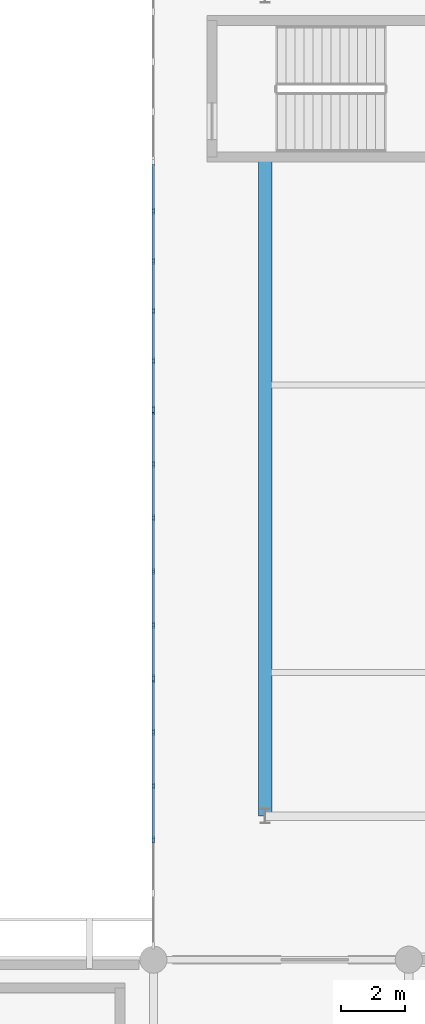
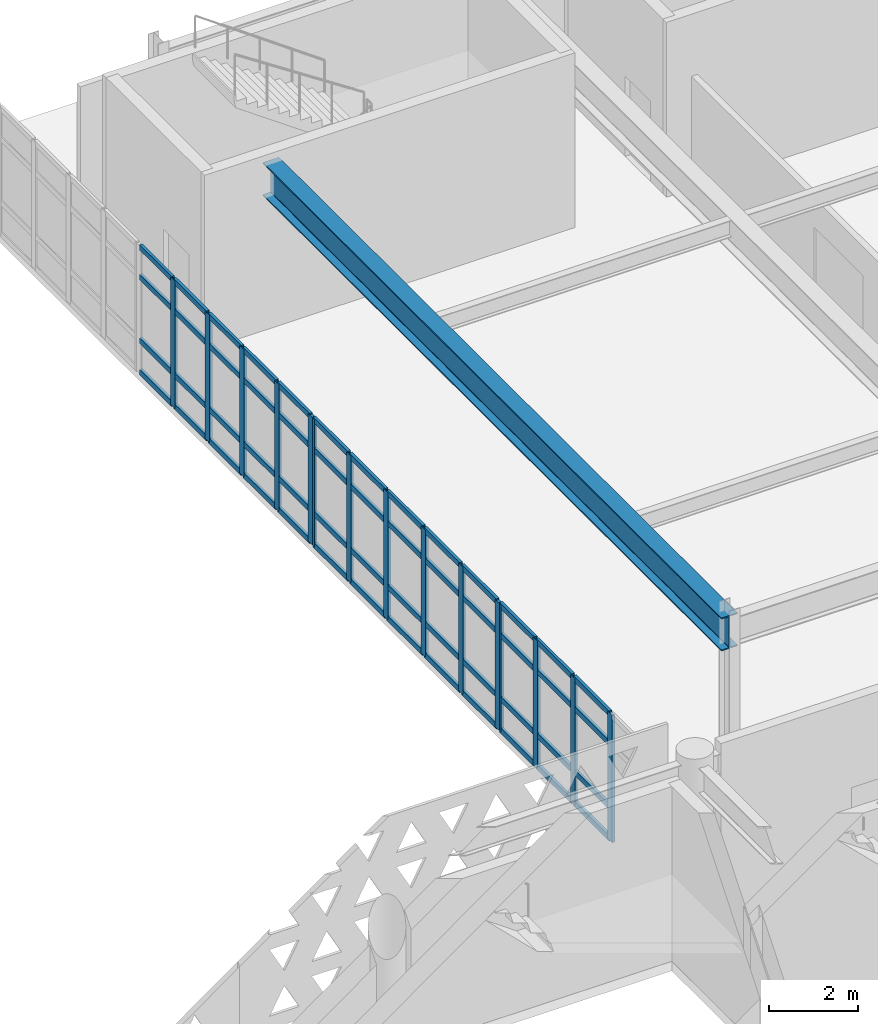
# One storey, part 20 of 54: 67 members, 1 beam, 3 elements without a shape of their own.
"""IFC4 building model written with IfcOpenShell, lengths in metres."""

import ifcopenshell
import ifcopenshell.guid

model = None  # the IFC model being written
_history = None  # IfcOwnerHistory: only IFC2X3 demands one
_inside = {}  # id of a spatial element -> (the spatial element, [elements in it])
_under = {}  # id of a project, library or spatial element -> (it, [spatial elements below it])
_declared = {}  # id of a project -> (the project, [libraries it declares])
_typed = {}  # id of a type object -> (the type object, [elements of that type])
_made_of = {}  # id of a material, layer set ... -> (it, [elements and type objects made of it])


def new_model(schema):
    """Start an empty IFC model of exactly this schema.

    Asked for "IFC4X3", IfcOpenShell would pick the latest addendum, in which some entities
    have other attributes; the version numbers below select the first issue.
    IFC2X3 requires an IfcOwnerHistory on every rooted entity: one is made here for all.
    """
    global model, _history
    if schema == "IFC4X3":
        model = ifcopenshell.file(schema_version=(4, 3, 0, 0))
    else:
        model = ifcopenshell.file(schema=schema)
    _inside.clear()
    _under.clear()
    _declared.clear()
    _typed.clear()
    _made_of.clear()
    _history = None
    if model.schema == "IFC2X3":
        org = make("IfcOrganization", Name="unknown")
        user = make(
            "IfcPersonAndOrganization",
            ThePerson=make("IfcPerson", FamilyName="unknown"),
            TheOrganization=org,
        )
        app = make(
            "IfcApplication",
            ApplicationDeveloper=org,
            Version="unknown",
            ApplicationFullName="unknown",
            ApplicationIdentifier="unknown",
        )
        _history = make(
            "IfcOwnerHistory",
            OwningUser=user,
            OwningApplication=app,
            ChangeAction="ADDED",
            CreationDate=0,
        )
    return model


def make(cls, **values):
    """One entity of the class cls with the attributes given. An attribute that is None is left unset."""
    return model.create_entity(
        cls, **{name: value for name, value in values.items() if value is not None}
    )


def rooted(cls, **values):
    """An entity with a GlobalId (a new one), such as an element, a storey or a relation."""
    return make(cls, GlobalId=ifcopenshell.guid.new(), OwnerHistory=_history, **values)


def si_unit(unit_type, name, prefix=None):
    """IfcSIUnit, for example si_unit("LENGTHUNIT", "METRE", prefix="MILLI")."""
    return make("IfcSIUnit", UnitType=unit_type, Prefix=prefix, Name=name)


def assignment(units):
    """IfcUnitAssignment: the units of a project."""
    return None if units is None else make("IfcUnitAssignment", Units=units)


def point(xyz):
    """IfcCartesianPoint."""
    return None if xyz is None else make("IfcCartesianPoint", Coordinates=xyz)


def direction(xyz):
    """IfcDirection."""
    return None if xyz is None else make("IfcDirection", DirectionRatios=xyz)


def frame(location, z_axis=None, x_axis=None):
    """IfcAxis2Placement3D, a coordinate frame: its origin and axes. An axis left out is left unset."""
    return make(
        "IfcAxis2Placement3D",
        Location=point(location),
        Axis=direction(z_axis),
        RefDirection=direction(x_axis),
    )


def frame_2d(location, x_axis=None):
    """IfcAxis2Placement2D, a coordinate frame in the plane: its origin and x axis."""
    return make(
        "IfcAxis2Placement2D", Location=point(location), RefDirection=direction(x_axis)
    )


def origin():
    """The frame at (0, 0, 0) with its axes left unset."""
    return frame((0.0, 0.0, 0.0))


def origin_2d():
    """The frame at (0, 0) in the plane with its x axis left unset."""
    return frame_2d((0.0, 0.0))


def place(relative_to, where):
    """IfcLocalPlacement: puts the frame where relative to a parent placement (None: the world)."""
    return make(
        "IfcLocalPlacement", PlacementRelTo=relative_to, RelativePlacement=where
    )


def context(
    kind, dimensions, precision=None, world=None, true_north=None, identifier=None
):
    """IfcGeometricRepresentationContext, for example the 3D "Model" context."""
    return make(
        "IfcGeometricRepresentationContext",
        ContextIdentifier=identifier,
        ContextType=kind,
        CoordinateSpaceDimension=dimensions,
        Precision=precision,
        WorldCoordinateSystem=world,
        TrueNorth=true_north,
    )


def subcontext(parent, identifier, kind, view, scale=None):
    """IfcGeometricRepresentationSubContext, for example "Body" below "Model"."""
    return make(
        "IfcGeometricRepresentationSubContext",
        ContextIdentifier=identifier,
        ContextType=kind,
        ParentContext=parent,
        TargetScale=scale,
        TargetView=view,
    )


def project(units=None, contexts=None):
    """IfcProject with its units and contexts."""
    return rooted(
        "IfcProject",
        Name="project",
        RepresentationContexts=contexts,
        UnitsInContext=assignment(units),
    )


def spatial(cls, under=None, at=None, **own):
    """A site, building, storey or space (cls), placed at a placement, below another one or the project."""
    s = rooted(cls, ObjectPlacement=at, **own)
    if under is not None:
        _under.setdefault(under.id(), (under, []))[1].append(s)
    return s


def profile(cls, at=None, kind="AREA", **sizes):
    """A parametric profile (cls). Its sizes go by their IFC names, for example OverallWidth=200.0."""
    return make(cls, ProfileType=kind, Position=at, **sizes)


def rectangle(**sizes):
    """IfcRectangleProfileDef."""
    return profile("IfcRectangleProfileDef", **sizes)


def i_section(**sizes):
    """IfcIShapeProfileDef."""
    return profile("IfcIShapeProfileDef", **sizes)


def extrude(swept, where, along, depth):
    """IfcExtrudedAreaSolid: the profile swept, set in the frame where, extruded along a direction by depth."""
    return make(
        "IfcExtrudedAreaSolid",
        SweptArea=swept,
        Position=where,
        ExtrudedDirection=direction(along),
        Depth=depth,
    )


def shape(context_of_items, identifier, shape_type, items):
    """IfcShapeRepresentation: the items that make up one representation, for example the "Body"."""
    return make(
        "IfcShapeRepresentation",
        ContextOfItems=context_of_items,
        RepresentationIdentifier=identifier,
        RepresentationType=shape_type,
        Items=items,
    )


def material(Name=None, Category=None):
    """IfcMaterial."""
    return make("IfcMaterial", Name=Name, Category=Category)


def layer(
    of_material, thickness, ventilated=None, Name=None, Category=None, Priority=None
):
    """IfcMaterialLayer: one layer of a wall or slab, of a material (None: an air gap)."""
    return make(
        "IfcMaterialLayer",
        Material=of_material,
        LayerThickness=thickness,
        IsVentilated=ventilated,
        Name=Name,
        Category=Category,
        Priority=Priority,
    )


def layer_set(layers, Name=None):
    """IfcMaterialLayerSet."""
    return make("IfcMaterialLayerSet", MaterialLayers=layers, LayerSetName=Name)


def material_profile(
    of_material, cross_section, Name=None, Category=None, Priority=None
):
    """IfcMaterialProfile: a cross section and its material."""
    return make(
        "IfcMaterialProfile",
        Name=Name,
        Material=of_material,
        Profile=cross_section,
        Priority=Priority,
        Category=Category,
    )


def profile_set(profiles, Name=None, composite=None):
    """IfcMaterialProfileSet."""
    return make(
        "IfcMaterialProfileSet",
        Name=Name,
        MaterialProfiles=profiles,
        CompositeProfile=composite,
    )


def made_of(thing, what):
    """Note that an element or type object is made of a material, layer set ...; save() writes the relation."""
    if what is not None:
        _made_of.setdefault(what.id(), (what, []))[1].append(thing)
    return thing


def type_object(cls, material=None, **own):
    """A type object (cls), such as IfcWallType, which elements share."""
    return made_of(rooted(cls, **own), material)


def element(
    cls,
    number,
    at=None,
    inside=None,
    cuts=None,
    type_object=None,
    material=None,
    context=None,
    identifier="Body",
    shape_type=None,
    held_by="IfcProductDefinitionShape",
    body=None,
    shapes=None,
    **own,
):
    """One element of the class cls, such as IfcWall. Its Tag is "e" and its number.

    at: its placement. inside: the storey or other place that contains it. cuts: it is an
    opening in that element (IfcRelVoidsElement). A single representation is given by context,
    identifier, shape_type and body (its items); several are given by shapes. held_by: the class
    of the entity that holds the representations. save() writes the other relations.
    """
    e = rooted(cls, Tag="e%d" % number, ObjectPlacement=at, **own)
    if body is not None:
        shapes = [shape(context, identifier, shape_type, body)]
    if shapes is not None:
        e.Representation = make(held_by, Representations=shapes)
    if inside is not None:
        _inside.setdefault(inside.id(), (inside, []))[1].append(e)
    if cuts is not None:
        rooted(
            "IfcRelVoidsElement", RelatingBuildingElement=cuts, RelatedOpeningElement=e
        )
    if type_object is not None:
        _typed.setdefault(type_object.id(), (type_object, []))[1].append(e)
    return made_of(e, material)


def aggregate(whole, parts):
    """IfcRelAggregates: a whole, such as a stair, and the parts it consists of."""
    return rooted("IfcRelAggregates", RelatingObject=whole, RelatedObjects=parts)


def save(model, path):
    """Write the relations noted so far, then the file.

    IfcRelAggregates (storeys below a building ...), IfcRelContainedInSpatialStructure (elements
    in a storey), IfcRelDefinesByType, IfcRelAssociatesMaterial and IfcRelDeclares: one each for
    every whole, place, type object, material and project.
    """
    for whole, parts in _under.values():
        aggregate(whole, parts)
    for where, things in _inside.values():
        rooted(
            "IfcRelContainedInSpatialStructure",
            RelatedElements=things,
            RelatingStructure=where,
        )
    for kind, things in _typed.values():
        rooted("IfcRelDefinesByType", RelatedObjects=things, RelatingType=kind)
    for what, things in _made_of.values():
        rooted("IfcRelAssociatesMaterial", RelatedObjects=things, RelatingMaterial=what)
    for by, libraries in _declared.values():
        rooted("IfcRelDeclares", RelatingContext=by, RelatedDefinitions=libraries)
    model.write(path)


model = new_model("IFC4")

# Units and contexts
model_context = context("Model", 3, precision=1e-05, world=origin(), true_north=direction((0.0, 1.0)))
body_context = subcontext(model_context, "Body", "Model", "MODEL_VIEW")
ifc_project = project(units=[si_unit("LENGTHUNIT", "METRE"), si_unit("AREAUNIT", "SQUARE_METRE"), si_unit("VOLUMEUNIT", "CUBIC_METRE"), si_unit("PLANEANGLEUNIT", "RADIAN"), si_unit("MASSUNIT", "GRAM", prefix="KILO")], contexts=[model_context])

# Site, building, storey
site_placement = place(None, origin())
site = spatial("IfcSite", under=ifc_project, at=site_placement, CompositionType="ELEMENT")
building_placement = place(site_placement, origin())
building = spatial("IfcBuilding", under=site, at=building_placement, Name="Tlacozan Convention Centre", CompositionType="ELEMENT")
storey_placement = place(building_placement, frame((0.0, 0.0, 11.39990234375)))
storey = spatial("IfcBuildingStorey", under=building, at=storey_placement, Name="L02", CompositionType="ELEMENT", Elevation=11.39990234375)

# Beam
ifc_material_1 = material(Name="Steel ASTM A992 Grade 50", Category="steel")
ifc_material_profile_1 = material_profile(ifc_material_1, i_section(OverallWidth=0.41796875, OverallDepth=0.912109375, WebThickness=0.019287109375, FlangeThickness=0.031982421875, FilletRadius=0.02001953125, at=origin_2d()), Name="IR 914x342.0")
ifc_profile_set_1 = profile_set([ifc_material_profile_1], Name="Steel ASTM A992 Grade 50")
beam_type = type_object("IfcBeamType", Name="Ballroom Span Girder IR 914x342", PredefinedType="BEAM", material=ifc_profile_set_1)
beam_placement = place(storey_placement, frame((91.5, 31.5, 4.044189453125), z_axis=(0.0, 1.0, 0.0), x_axis=(-1.0, 0.0, 0.0)))
element("IfcBeam", 1, at=beam_placement, inside=storey, type_object=beam_type, Name="L02 Ballroom Span Girder IR 914x342 1470", PredefinedType="BEAM", context=body_context, shape_type="SweptSolid", body=[
    extrude(i_section(OverallWidth=0.41796875, OverallDepth=0.912109375, WebThickness=0.019287109375, FlangeThickness=0.031982421875, FilletRadius=0.02001953125, at=origin_2d()), origin(), (0.0, 0.0, 1.0), 20.639892578125),
])

# Curtain wall, members
ifc_material_2 = material(Name="Dark Bronze Anodised Aluminium", Category="aluminium")
ifc_layer = layer(ifc_material_2, 0.199951171875)
ifc_layer_set = layer_set([ifc_layer], Name="Dark Bronze Anodised Aluminium")
curtain_wall_type = type_object("IfcCurtainWallType", Name="Unitised Dining Cloister L02 CW09", PredefinedType="NOTDEFINED", material=ifc_layer_set)
curtain_wall_1_placement = place(storey_placement, origin())
curtain_wall_1 = element("IfcCurtainWall", 2, at=curtain_wall_1_placement, inside=storey, type_object=curtain_wall_type, Name="L02 CW-09 Run 156", PredefinedType="NOTDEFINED")
ifc_material_profile_2 = material_profile(ifc_material_2, rectangle(XDim=0.074951171875, YDim=0.199951171875, at=origin_2d()), Name="ALU 75x200")
ifc_profile_set_2 = profile_set([ifc_material_profile_2], Name="Dark Bronze Anodised Aluminium")
member_type_1 = type_object("IfcMemberType", Name="Curtain Wall Heavy Mullion 75x200", PredefinedType="MULLION", material=ifc_profile_set_2)
member_1_placement = place(storey_placement, frame((88.0, 30.760009765625, 0.0), z_axis=(0.0, 0.0, 1.0), x_axis=(-1.0, 0.0, 0.0)))
member_1 = element("IfcMember", 3, at=member_1_placement, type_object=member_type_1, Name="CW-09 mullion 3", PredefinedType="MULLION", context=body_context, shape_type="SweptSolid", body=[
    extrude(rectangle(XDim=0.074951171875, YDim=0.199951171875, at=origin_2d()), origin(), (0.0, 0.0, 1.0), 3.5),
])
member_2_placement = place(storey_placement, frame((88.0, 32.43994140625, 0.0), z_axis=(0.0, 0.0, 1.0), x_axis=(-1.0, 0.0, 0.0)))
member_2 = element("IfcMember", 4, at=member_2_placement, type_object=member_type_1, Name="CW-09 mullion 4", PredefinedType="MULLION", context=body_context, shape_type="SweptSolid", body=[
    extrude(rectangle(XDim=0.074951171875, YDim=0.199951171875, at=origin_2d()), origin(), (0.0, 0.0, 1.0), 3.5),
])
member_3_placement = place(storey_placement, frame((88.0, 34.1201171875, 0.0), z_axis=(0.0, 0.0, 1.0), x_axis=(-1.0, 0.0, 0.0)))
member_3 = element("IfcMember", 5, at=member_3_placement, type_object=member_type_1, Name="CW-09 mullion 5", PredefinedType="MULLION", context=body_context, shape_type="SweptSolid", body=[
    extrude(rectangle(XDim=0.074951171875, YDim=0.199951171875, at=origin_2d()), origin(), (0.0, 0.0, 1.0), 3.5),
])
member_4_placement = place(storey_placement, frame((88.0, 35.762451171875, 0.0), z_axis=(0.0, 0.0, 1.0), x_axis=(-1.0, 0.0, 0.0)))
member_4 = element("IfcMember", 6, at=member_4_placement, type_object=member_type_1, Name="CW-09 mullion 6", PredefinedType="MULLION", context=body_context, shape_type="SweptSolid", body=[
    extrude(rectangle(XDim=0.074951171875, YDim=0.199951171875, at=origin_2d()), origin(), (0.0, 0.0, 1.0), 3.5),
])

curtain_wall_2_placement = place(storey_placement, origin())
curtain_wall_2 = element("IfcCurtainWall", 7, at=curtain_wall_2_placement, inside=storey, type_object=curtain_wall_type, Name="L02 CW-09 Run 158", PredefinedType="NOTDEFINED")
member_5_placement = place(storey_placement, frame((88.0, 35.83740234375, 0.0), z_axis=(0.0, 0.0, 1.0), x_axis=(-1.0, 0.0, 0.0)))
member_5 = element("IfcMember", 8, at=member_5_placement, type_object=member_type_1, Name="CW-09 mullion 1", PredefinedType="MULLION", context=body_context, shape_type="SweptSolid", body=[
    extrude(rectangle(XDim=0.074951171875, YDim=0.199951171875, at=origin_2d()), origin(), (0.0, 0.0, 1.0), 3.5),
])
member_6_placement = place(storey_placement, frame((88.0, 37.47998046875, 0.0), z_axis=(0.0, 0.0, 1.0), x_axis=(-1.0, 0.0, 0.0)))
member_6 = element("IfcMember", 9, at=member_6_placement, type_object=member_type_1, Name="CW-09 mullion 2", PredefinedType="MULLION", context=body_context, shape_type="SweptSolid", body=[
    extrude(rectangle(XDim=0.074951171875, YDim=0.199951171875, at=origin_2d()), origin(), (0.0, 0.0, 1.0), 3.5),
])
member_7_placement = place(storey_placement, frame((88.0, 39.159912109375, 0.0), z_axis=(0.0, 0.0, 1.0), x_axis=(-1.0, 0.0, 0.0)))
member_7 = element("IfcMember", 10, at=member_7_placement, type_object=member_type_1, Name="CW-09 mullion 3", PredefinedType="MULLION", context=body_context, shape_type="SweptSolid", body=[
    extrude(rectangle(XDim=0.074951171875, YDim=0.199951171875, at=origin_2d()), origin(), (0.0, 0.0, 1.0), 3.5),
])
member_8_placement = place(storey_placement, frame((88.0, 40.840087890625, 0.0), z_axis=(0.0, 0.0, 1.0), x_axis=(-1.0, 0.0, 0.0)))
member_8 = element("IfcMember", 11, at=member_8_placement, type_object=member_type_1, Name="CW-09 mullion 4", PredefinedType="MULLION", context=body_context, shape_type="SweptSolid", body=[
    extrude(rectangle(XDim=0.074951171875, YDim=0.199951171875, at=origin_2d()), origin(), (0.0, 0.0, 1.0), 3.5),
])
member_9_placement = place(storey_placement, frame((88.0, 42.52001953125, 0.0), z_axis=(0.0, 0.0, 1.0), x_axis=(-1.0, 0.0, 0.0)))
member_9 = element("IfcMember", 12, at=member_9_placement, type_object=member_type_1, Name="CW-09 mullion 5", PredefinedType="MULLION", context=body_context, shape_type="SweptSolid", body=[
    extrude(rectangle(XDim=0.074951171875, YDim=0.199951171875, at=origin_2d()), origin(), (0.0, 0.0, 1.0), 3.5),
])
member_10_placement = place(storey_placement, frame((88.0, 44.16259765625, 0.0), z_axis=(0.0, 0.0, 1.0), x_axis=(-1.0, 0.0, 0.0)))
member_10 = element("IfcMember", 13, at=member_10_placement, type_object=member_type_1, Name="CW-09 mullion 6", PredefinedType="MULLION", context=body_context, shape_type="SweptSolid", body=[
    extrude(rectangle(XDim=0.074951171875, YDim=0.199951171875, at=origin_2d()), origin(), (0.0, 0.0, 1.0), 3.5),
])

curtain_wall_3_placement = place(storey_placement, origin())
curtain_wall_3 = element("IfcCurtainWall", 14, at=curtain_wall_3_placement, inside=storey, type_object=curtain_wall_type, Name="L02 CW-09 Run 161", PredefinedType="NOTDEFINED")
member_11_placement = place(storey_placement, frame((88.0, 44.237548828125, 0.0), z_axis=(0.0, 0.0, 1.0), x_axis=(-1.0, 0.0, 0.0)))
member_11 = element("IfcMember", 15, at=member_11_placement, type_object=member_type_1, Name="CW-09 mullion 1", PredefinedType="MULLION", context=body_context, shape_type="SweptSolid", body=[
    extrude(rectangle(XDim=0.074951171875, YDim=0.199951171875, at=origin_2d()), origin(), (0.0, 0.0, 1.0), 3.5),
])
member_12_placement = place(storey_placement, frame((88.0, 45.760009765625, 0.0), z_axis=(0.0, 0.0, 1.0), x_axis=(-1.0, 0.0, 0.0)))
member_12 = element("IfcMember", 16, at=member_12_placement, type_object=member_type_1, Name="CW-09 mullion 2", PredefinedType="MULLION", context=body_context, shape_type="SweptSolid", body=[
    extrude(rectangle(XDim=0.074951171875, YDim=0.199951171875, at=origin_2d()), origin(), (0.0, 0.0, 1.0), 3.5),
])
member_13_placement = place(storey_placement, frame((88.0, 47.320068359375, 0.0), z_axis=(0.0, 0.0, 1.0), x_axis=(-1.0, 0.0, 0.0)))
member_13 = element("IfcMember", 17, at=member_13_placement, type_object=member_type_1, Name="CW-09 mullion 3", PredefinedType="MULLION", context=body_context, shape_type="SweptSolid", body=[
    extrude(rectangle(XDim=0.074951171875, YDim=0.199951171875, at=origin_2d()), origin(), (0.0, 0.0, 1.0), 3.5),
])
member_14_placement = place(storey_placement, frame((88.0, 48.8798828125, 0.0), z_axis=(0.0, 0.0, 1.0), x_axis=(-1.0, 0.0, 0.0)))
member_14 = element("IfcMember", 18, at=member_14_placement, type_object=member_type_1, Name="CW-09 mullion 4", PredefinedType="MULLION", context=body_context, shape_type="SweptSolid", body=[
    extrude(rectangle(XDim=0.074951171875, YDim=0.199951171875, at=origin_2d()), origin(), (0.0, 0.0, 1.0), 3.5),
])
member_15_placement = place(storey_placement, frame((88.0, 50.43994140625, 0.0), z_axis=(0.0, 0.0, 1.0), x_axis=(-1.0, 0.0, 0.0)))
member_15 = element("IfcMember", 19, at=member_15_placement, type_object=member_type_1, Name="CW-09 mullion 5", PredefinedType="MULLION", context=body_context, shape_type="SweptSolid", body=[
    extrude(rectangle(XDim=0.074951171875, YDim=0.199951171875, at=origin_2d()), origin(), (0.0, 0.0, 1.0), 3.5),
])

# Member
ifc_material_profile_3 = material_profile(ifc_material_2, rectangle(XDim=0.074951171875, YDim=0.14990234375, at=origin_2d()), Name="ALU 75x150")
ifc_profile_set_3 = profile_set([ifc_material_profile_3], Name="Dark Bronze Anodised Aluminium")
member_type_2 = type_object("IfcMemberType", Name="Curtain Wall Heavy Transom 75x150", PredefinedType="USERDEFINED", material=ifc_profile_set_3)
member_16_placement = place(storey_placement, frame((88.0, 30.797607421875, 0.03759765625), z_axis=(0.0, 1.0, 0.0), x_axis=(-1.0, 0.0, 0.0)))
member_16 = element("IfcMember", 20, at=member_16_placement, type_object=member_type_2, Name="CW-09 transom 3.1", ObjectType="TRANSOM", PredefinedType="USERDEFINED", context=body_context, shape_type="SweptSolid", body=[
    extrude(rectangle(XDim=0.074951171875, YDim=0.14990234375, at=origin_2d()), origin(), (0.0, 0.0, 1.0), 1.60498046875),
])

member_17_placement = place(storey_placement, frame((88.0, 30.797607421875, 0.900146484375), z_axis=(0.0, 1.0, 0.0), x_axis=(-1.0, 0.0, 0.0)))
member_17 = element("IfcMember", 21, at=member_17_placement, type_object=member_type_2, Name="CW-09 transom 3.2", ObjectType="TRANSOM", PredefinedType="USERDEFINED", context=body_context, shape_type="SweptSolid", body=[
    extrude(rectangle(XDim=0.074951171875, YDim=0.14990234375, at=origin_2d()), origin(), (0.0, 0.0, 1.0), 1.60498046875),
])

member_18_placement = place(storey_placement, frame((88.0, 30.797607421875, 2.650146484375), z_axis=(0.0, 1.0, 0.0), x_axis=(-1.0, 0.0, 0.0)))
member_18 = element("IfcMember", 22, at=member_18_placement, type_object=member_type_2, Name="CW-09 transom 3.3", ObjectType="TRANSOM", PredefinedType="USERDEFINED", context=body_context, shape_type="SweptSolid", body=[
    extrude(rectangle(XDim=0.074951171875, YDim=0.14990234375, at=origin_2d()), origin(), (0.0, 0.0, 1.0), 1.60498046875),
])

member_19_placement = place(storey_placement, frame((88.0, 30.797607421875, 3.462646484375), z_axis=(0.0, 1.0, 0.0), x_axis=(-1.0, 0.0, 0.0)))
member_19 = element("IfcMember", 23, at=member_19_placement, type_object=member_type_2, Name="CW-09 transom 3.4", ObjectType="TRANSOM", PredefinedType="USERDEFINED", context=body_context, shape_type="SweptSolid", body=[
    extrude(rectangle(XDim=0.074951171875, YDim=0.14990234375, at=origin_2d()), origin(), (0.0, 0.0, 1.0), 1.60498046875),
])

member_20_placement = place(storey_placement, frame((88.0, 32.4775390625, 0.03759765625), z_axis=(0.0, 1.0, 0.0), x_axis=(-1.0, 0.0, 0.0)))
member_20 = element("IfcMember", 24, at=member_20_placement, type_object=member_type_2, Name="CW-09 transom 4.1", ObjectType="TRANSOM", PredefinedType="USERDEFINED", context=body_context, shape_type="SweptSolid", body=[
    extrude(rectangle(XDim=0.074951171875, YDim=0.14990234375, at=origin_2d()), origin(), (0.0, 0.0, 1.0), 1.60498046875),
])

member_21_placement = place(storey_placement, frame((88.0, 32.4775390625, 0.900146484375), z_axis=(0.0, 1.0, 0.0), x_axis=(-1.0, 0.0, 0.0)))
member_21 = element("IfcMember", 25, at=member_21_placement, type_object=member_type_2, Name="CW-09 transom 4.2", ObjectType="TRANSOM", PredefinedType="USERDEFINED", context=body_context, shape_type="SweptSolid", body=[
    extrude(rectangle(XDim=0.074951171875, YDim=0.14990234375, at=origin_2d()), origin(), (0.0, 0.0, 1.0), 1.60498046875),
])

member_22_placement = place(storey_placement, frame((88.0, 32.4775390625, 2.650146484375), z_axis=(0.0, 1.0, 0.0), x_axis=(-1.0, 0.0, 0.0)))
member_22 = element("IfcMember", 26, at=member_22_placement, type_object=member_type_2, Name="CW-09 transom 4.3", ObjectType="TRANSOM", PredefinedType="USERDEFINED", context=body_context, shape_type="SweptSolid", body=[
    extrude(rectangle(XDim=0.074951171875, YDim=0.14990234375, at=origin_2d()), origin(), (0.0, 0.0, 1.0), 1.60498046875),
])

member_23_placement = place(storey_placement, frame((88.0, 32.4775390625, 3.462646484375), z_axis=(0.0, 1.0, 0.0), x_axis=(-1.0, 0.0, 0.0)))
member_23 = element("IfcMember", 27, at=member_23_placement, type_object=member_type_2, Name="CW-09 transom 4.4", ObjectType="TRANSOM", PredefinedType="USERDEFINED", context=body_context, shape_type="SweptSolid", body=[
    extrude(rectangle(XDim=0.074951171875, YDim=0.14990234375, at=origin_2d()), origin(), (0.0, 0.0, 1.0), 1.60498046875),
])

member_24_placement = place(storey_placement, frame((88.0, 34.157470703125, 0.03759765625), z_axis=(0.0, 1.0, 0.0), x_axis=(-1.0, 0.0, 0.0)))
member_24 = element("IfcMember", 28, at=member_24_placement, type_object=member_type_2, Name="CW-09 transom 5.1", ObjectType="TRANSOM", PredefinedType="USERDEFINED", context=body_context, shape_type="SweptSolid", body=[
    extrude(rectangle(XDim=0.074951171875, YDim=0.14990234375, at=origin_2d()), origin(), (0.0, 0.0, 1.0), 1.567626953125),
])

member_25_placement = place(storey_placement, frame((88.0, 34.157470703125, 0.900146484375), z_axis=(0.0, 1.0, 0.0), x_axis=(-1.0, 0.0, 0.0)))
member_25 = element("IfcMember", 29, at=member_25_placement, type_object=member_type_2, Name="CW-09 transom 5.2", ObjectType="TRANSOM", PredefinedType="USERDEFINED", context=body_context, shape_type="SweptSolid", body=[
    extrude(rectangle(XDim=0.074951171875, YDim=0.14990234375, at=origin_2d()), origin(), (0.0, 0.0, 1.0), 1.567626953125),
])

member_26_placement = place(storey_placement, frame((88.0, 34.157470703125, 2.650146484375), z_axis=(0.0, 1.0, 0.0), x_axis=(-1.0, 0.0, 0.0)))
member_26 = element("IfcMember", 30, at=member_26_placement, type_object=member_type_2, Name="CW-09 transom 5.3", ObjectType="TRANSOM", PredefinedType="USERDEFINED", context=body_context, shape_type="SweptSolid", body=[
    extrude(rectangle(XDim=0.074951171875, YDim=0.14990234375, at=origin_2d()), origin(), (0.0, 0.0, 1.0), 1.567626953125),
])

member_27_placement = place(storey_placement, frame((88.0, 34.157470703125, 3.462646484375), z_axis=(0.0, 1.0, 0.0), x_axis=(-1.0, 0.0, 0.0)))
member_27 = element("IfcMember", 31, at=member_27_placement, type_object=member_type_2, Name="CW-09 transom 5.4", ObjectType="TRANSOM", PredefinedType="USERDEFINED", context=body_context, shape_type="SweptSolid", body=[
    extrude(rectangle(XDim=0.074951171875, YDim=0.14990234375, at=origin_2d()), origin(), (0.0, 0.0, 1.0), 1.567626953125),
])

aggregate(curtain_wall_1, [member_1, member_2, member_3, member_4, member_16, member_17, member_18, member_19, member_20, member_21, member_22, member_23, member_24, member_25, member_26, member_27])

member_28_placement = place(storey_placement, frame((88.0, 35.875, 0.03759765625), z_axis=(0.0, 1.0, 0.0), x_axis=(-1.0, 0.0, 0.0)))
member_28 = element("IfcMember", 32, at=member_28_placement, type_object=member_type_2, Name="CW-09 transom 1.1", ObjectType="TRANSOM", PredefinedType="USERDEFINED", context=body_context, shape_type="SweptSolid", body=[
    extrude(rectangle(XDim=0.074951171875, YDim=0.14990234375, at=origin_2d()), origin(), (0.0, 0.0, 1.0), 1.5673828125),
])

member_29_placement = place(storey_placement, frame((88.0, 35.875, 0.900146484375), z_axis=(0.0, 1.0, 0.0), x_axis=(-1.0, 0.0, 0.0)))
member_29 = element("IfcMember", 33, at=member_29_placement, type_object=member_type_2, Name="CW-09 transom 1.2", ObjectType="TRANSOM", PredefinedType="USERDEFINED", context=body_context, shape_type="SweptSolid", body=[
    extrude(rectangle(XDim=0.074951171875, YDim=0.14990234375, at=origin_2d()), origin(), (0.0, 0.0, 1.0), 1.5673828125),
])

member_30_placement = place(storey_placement, frame((88.0, 35.875, 2.650146484375), z_axis=(0.0, 1.0, 0.0), x_axis=(-1.0, 0.0, 0.0)))
member_30 = element("IfcMember", 34, at=member_30_placement, type_object=member_type_2, Name="CW-09 transom 1.3", ObjectType="TRANSOM", PredefinedType="USERDEFINED", context=body_context, shape_type="SweptSolid", body=[
    extrude(rectangle(XDim=0.074951171875, YDim=0.14990234375, at=origin_2d()), origin(), (0.0, 0.0, 1.0), 1.5673828125),
])

member_31_placement = place(storey_placement, frame((88.0, 35.875, 3.462646484375), z_axis=(0.0, 1.0, 0.0), x_axis=(-1.0, 0.0, 0.0)))
member_31 = element("IfcMember", 35, at=member_31_placement, type_object=member_type_2, Name="CW-09 transom 1.4", ObjectType="TRANSOM", PredefinedType="USERDEFINED", context=body_context, shape_type="SweptSolid", body=[
    extrude(rectangle(XDim=0.074951171875, YDim=0.14990234375, at=origin_2d()), origin(), (0.0, 0.0, 1.0), 1.5673828125),
])

member_32_placement = place(storey_placement, frame((88.0, 37.517578125, 0.03759765625), z_axis=(0.0, 1.0, 0.0), x_axis=(-1.0, 0.0, 0.0)))
member_32 = element("IfcMember", 36, at=member_32_placement, type_object=member_type_2, Name="CW-09 transom 2.1", ObjectType="TRANSOM", PredefinedType="USERDEFINED", context=body_context, shape_type="SweptSolid", body=[
    extrude(rectangle(XDim=0.074951171875, YDim=0.14990234375, at=origin_2d()), origin(), (0.0, 0.0, 1.0), 1.60498046875),
])

member_33_placement = place(storey_placement, frame((88.0, 37.517578125, 0.900146484375), z_axis=(0.0, 1.0, 0.0), x_axis=(-1.0, 0.0, 0.0)))
member_33 = element("IfcMember", 37, at=member_33_placement, type_object=member_type_2, Name="CW-09 transom 2.2", ObjectType="TRANSOM", PredefinedType="USERDEFINED", context=body_context, shape_type="SweptSolid", body=[
    extrude(rectangle(XDim=0.074951171875, YDim=0.14990234375, at=origin_2d()), origin(), (0.0, 0.0, 1.0), 1.60498046875),
])

member_34_placement = place(storey_placement, frame((88.0, 37.517578125, 2.650146484375), z_axis=(0.0, 1.0, 0.0), x_axis=(-1.0, 0.0, 0.0)))
member_34 = element("IfcMember", 38, at=member_34_placement, type_object=member_type_2, Name="CW-09 transom 2.3", ObjectType="TRANSOM", PredefinedType="USERDEFINED", context=body_context, shape_type="SweptSolid", body=[
    extrude(rectangle(XDim=0.074951171875, YDim=0.14990234375, at=origin_2d()), origin(), (0.0, 0.0, 1.0), 1.60498046875),
])

member_35_placement = place(storey_placement, frame((88.0, 37.517578125, 3.462646484375), z_axis=(0.0, 1.0, 0.0), x_axis=(-1.0, 0.0, 0.0)))
member_35 = element("IfcMember", 39, at=member_35_placement, type_object=member_type_2, Name="CW-09 transom 2.4", ObjectType="TRANSOM", PredefinedType="USERDEFINED", context=body_context, shape_type="SweptSolid", body=[
    extrude(rectangle(XDim=0.074951171875, YDim=0.14990234375, at=origin_2d()), origin(), (0.0, 0.0, 1.0), 1.60498046875),
])

member_36_placement = place(storey_placement, frame((88.0, 39.197509765625, 0.03759765625), z_axis=(0.0, 1.0, 0.0), x_axis=(-1.0, 0.0, 0.0)))
member_36 = element("IfcMember", 40, at=member_36_placement, type_object=member_type_2, Name="CW-09 transom 3.1", ObjectType="TRANSOM", PredefinedType="USERDEFINED", context=body_context, shape_type="SweptSolid", body=[
    extrude(rectangle(XDim=0.074951171875, YDim=0.14990234375, at=origin_2d()), origin(), (0.0, 0.0, 1.0), 1.60498046875),
])

member_37_placement = place(storey_placement, frame((88.0, 39.197509765625, 0.900146484375), z_axis=(0.0, 1.0, 0.0), x_axis=(-1.0, 0.0, 0.0)))
member_37 = element("IfcMember", 41, at=member_37_placement, type_object=member_type_2, Name="CW-09 transom 3.2", ObjectType="TRANSOM", PredefinedType="USERDEFINED", context=body_context, shape_type="SweptSolid", body=[
    extrude(rectangle(XDim=0.074951171875, YDim=0.14990234375, at=origin_2d()), origin(), (0.0, 0.0, 1.0), 1.60498046875),
])

member_38_placement = place(storey_placement, frame((88.0, 39.197509765625, 2.650146484375), z_axis=(0.0, 1.0, 0.0), x_axis=(-1.0, 0.0, 0.0)))
member_38 = element("IfcMember", 42, at=member_38_placement, type_object=member_type_2, Name="CW-09 transom 3.3", ObjectType="TRANSOM", PredefinedType="USERDEFINED", context=body_context, shape_type="SweptSolid", body=[
    extrude(rectangle(XDim=0.074951171875, YDim=0.14990234375, at=origin_2d()), origin(), (0.0, 0.0, 1.0), 1.60498046875),
])

member_39_placement = place(storey_placement, frame((88.0, 39.197509765625, 3.462646484375), z_axis=(0.0, 1.0, 0.0), x_axis=(-1.0, 0.0, 0.0)))
member_39 = element("IfcMember", 43, at=member_39_placement, type_object=member_type_2, Name="CW-09 transom 3.4", ObjectType="TRANSOM", PredefinedType="USERDEFINED", context=body_context, shape_type="SweptSolid", body=[
    extrude(rectangle(XDim=0.074951171875, YDim=0.14990234375, at=origin_2d()), origin(), (0.0, 0.0, 1.0), 1.60498046875),
])

member_40_placement = place(storey_placement, frame((88.0, 40.87744140625, 0.03759765625), z_axis=(0.0, 1.0, 0.0), x_axis=(-1.0, 0.0, 0.0)))
member_40 = element("IfcMember", 44, at=member_40_placement, type_object=member_type_2, Name="CW-09 transom 4.1", ObjectType="TRANSOM", PredefinedType="USERDEFINED", context=body_context, shape_type="SweptSolid", body=[
    extrude(rectangle(XDim=0.074951171875, YDim=0.14990234375, at=origin_2d()), origin(), (0.0, 0.0, 1.0), 1.60498046875),
])

member_41_placement = place(storey_placement, frame((88.0, 40.87744140625, 0.900146484375), z_axis=(0.0, 1.0, 0.0), x_axis=(-1.0, 0.0, 0.0)))
member_41 = element("IfcMember", 45, at=member_41_placement, type_object=member_type_2, Name="CW-09 transom 4.2", ObjectType="TRANSOM", PredefinedType="USERDEFINED", context=body_context, shape_type="SweptSolid", body=[
    extrude(rectangle(XDim=0.074951171875, YDim=0.14990234375, at=origin_2d()), origin(), (0.0, 0.0, 1.0), 1.60498046875),
])

member_42_placement = place(storey_placement, frame((88.0, 40.87744140625, 2.650146484375), z_axis=(0.0, 1.0, 0.0), x_axis=(-1.0, 0.0, 0.0)))
member_42 = element("IfcMember", 46, at=member_42_placement, type_object=member_type_2, Name="CW-09 transom 4.3", ObjectType="TRANSOM", PredefinedType="USERDEFINED", context=body_context, shape_type="SweptSolid", body=[
    extrude(rectangle(XDim=0.074951171875, YDim=0.14990234375, at=origin_2d()), origin(), (0.0, 0.0, 1.0), 1.60498046875),
])

member_43_placement = place(storey_placement, frame((88.0, 40.87744140625, 3.462646484375), z_axis=(0.0, 1.0, 0.0), x_axis=(-1.0, 0.0, 0.0)))
member_43 = element("IfcMember", 47, at=member_43_placement, type_object=member_type_2, Name="CW-09 transom 4.4", ObjectType="TRANSOM", PredefinedType="USERDEFINED", context=body_context, shape_type="SweptSolid", body=[
    extrude(rectangle(XDim=0.074951171875, YDim=0.14990234375, at=origin_2d()), origin(), (0.0, 0.0, 1.0), 1.60498046875),
])

member_44_placement = place(storey_placement, frame((88.0, 42.5576171875, 0.03759765625), z_axis=(0.0, 1.0, 0.0), x_axis=(-1.0, 0.0, 0.0)))
member_44 = element("IfcMember", 48, at=member_44_placement, type_object=member_type_2, Name="CW-09 transom 5.1", ObjectType="TRANSOM", PredefinedType="USERDEFINED", context=body_context, shape_type="SweptSolid", body=[
    extrude(rectangle(XDim=0.074951171875, YDim=0.14990234375, at=origin_2d()), origin(), (0.0, 0.0, 1.0), 1.5673828125),
])

member_45_placement = place(storey_placement, frame((88.0, 42.5576171875, 0.900146484375), z_axis=(0.0, 1.0, 0.0), x_axis=(-1.0, 0.0, 0.0)))
member_45 = element("IfcMember", 49, at=member_45_placement, type_object=member_type_2, Name="CW-09 transom 5.2", ObjectType="TRANSOM", PredefinedType="USERDEFINED", context=body_context, shape_type="SweptSolid", body=[
    extrude(rectangle(XDim=0.074951171875, YDim=0.14990234375, at=origin_2d()), origin(), (0.0, 0.0, 1.0), 1.5673828125),
])

member_46_placement = place(storey_placement, frame((88.0, 42.5576171875, 2.650146484375), z_axis=(0.0, 1.0, 0.0), x_axis=(-1.0, 0.0, 0.0)))
member_46 = element("IfcMember", 50, at=member_46_placement, type_object=member_type_2, Name="CW-09 transom 5.3", ObjectType="TRANSOM", PredefinedType="USERDEFINED", context=body_context, shape_type="SweptSolid", body=[
    extrude(rectangle(XDim=0.074951171875, YDim=0.14990234375, at=origin_2d()), origin(), (0.0, 0.0, 1.0), 1.5673828125),
])

member_47_placement = place(storey_placement, frame((88.0, 42.5576171875, 3.462646484375), z_axis=(0.0, 1.0, 0.0), x_axis=(-1.0, 0.0, 0.0)))
member_47 = element("IfcMember", 51, at=member_47_placement, type_object=member_type_2, Name="CW-09 transom 5.4", ObjectType="TRANSOM", PredefinedType="USERDEFINED", context=body_context, shape_type="SweptSolid", body=[
    extrude(rectangle(XDim=0.074951171875, YDim=0.14990234375, at=origin_2d()), origin(), (0.0, 0.0, 1.0), 1.5673828125),
])

aggregate(curtain_wall_2, [member_5, member_6, member_7, member_8, member_9, member_10, member_28, member_29, member_30, member_31, member_32, member_33, member_34, member_35, member_36, member_37, member_38, member_39, member_40, member_41, member_42, member_43, member_44, member_45, member_46, member_47])

member_48_placement = place(storey_placement, frame((88.0, 44.27490234375, 0.03759765625), z_axis=(0.0, 1.0, 0.0), x_axis=(-1.0, 0.0, 0.0)))
member_48 = element("IfcMember", 52, at=member_48_placement, type_object=member_type_2, Name="CW-09 transom 1.1", ObjectType="TRANSOM", PredefinedType="USERDEFINED", context=body_context, shape_type="SweptSolid", body=[
    extrude(rectangle(XDim=0.074951171875, YDim=0.14990234375, at=origin_2d()), origin(), (0.0, 0.0, 1.0), 1.447509765625),
])

member_49_placement = place(storey_placement, frame((88.0, 44.27490234375, 0.900146484375), z_axis=(0.0, 1.0, 0.0), x_axis=(-1.0, 0.0, 0.0)))
member_49 = element("IfcMember", 53, at=member_49_placement, type_object=member_type_2, Name="CW-09 transom 1.2", ObjectType="TRANSOM", PredefinedType="USERDEFINED", context=body_context, shape_type="SweptSolid", body=[
    extrude(rectangle(XDim=0.074951171875, YDim=0.14990234375, at=origin_2d()), origin(), (0.0, 0.0, 1.0), 1.447509765625),
])

member_50_placement = place(storey_placement, frame((88.0, 44.27490234375, 2.650146484375), z_axis=(0.0, 1.0, 0.0), x_axis=(-1.0, 0.0, 0.0)))
member_50 = element("IfcMember", 54, at=member_50_placement, type_object=member_type_2, Name="CW-09 transom 1.3", ObjectType="TRANSOM", PredefinedType="USERDEFINED", context=body_context, shape_type="SweptSolid", body=[
    extrude(rectangle(XDim=0.074951171875, YDim=0.14990234375, at=origin_2d()), origin(), (0.0, 0.0, 1.0), 1.447509765625),
])

member_51_placement = place(storey_placement, frame((88.0, 44.27490234375, 3.462646484375), z_axis=(0.0, 1.0, 0.0), x_axis=(-1.0, 0.0, 0.0)))
member_51 = element("IfcMember", 55, at=member_51_placement, type_object=member_type_2, Name="CW-09 transom 1.4", ObjectType="TRANSOM", PredefinedType="USERDEFINED", context=body_context, shape_type="SweptSolid", body=[
    extrude(rectangle(XDim=0.074951171875, YDim=0.14990234375, at=origin_2d()), origin(), (0.0, 0.0, 1.0), 1.447509765625),
])

member_52_placement = place(storey_placement, frame((88.0, 45.797607421875, 0.03759765625), z_axis=(0.0, 1.0, 0.0), x_axis=(-1.0, 0.0, 0.0)))
member_52 = element("IfcMember", 56, at=member_52_placement, type_object=member_type_2, Name="CW-09 transom 2.1", ObjectType="TRANSOM", PredefinedType="USERDEFINED", context=body_context, shape_type="SweptSolid", body=[
    extrude(rectangle(XDim=0.074951171875, YDim=0.14990234375, at=origin_2d()), origin(), (0.0, 0.0, 1.0), 1.48486328125),
])

member_53_placement = place(storey_placement, frame((88.0, 45.797607421875, 0.900146484375), z_axis=(0.0, 1.0, 0.0), x_axis=(-1.0, 0.0, 0.0)))
member_53 = element("IfcMember", 57, at=member_53_placement, type_object=member_type_2, Name="CW-09 transom 2.2", ObjectType="TRANSOM", PredefinedType="USERDEFINED", context=body_context, shape_type="SweptSolid", body=[
    extrude(rectangle(XDim=0.074951171875, YDim=0.14990234375, at=origin_2d()), origin(), (0.0, 0.0, 1.0), 1.48486328125),
])

member_54_placement = place(storey_placement, frame((88.0, 45.797607421875, 2.650146484375), z_axis=(0.0, 1.0, 0.0), x_axis=(-1.0, 0.0, 0.0)))
member_54 = element("IfcMember", 58, at=member_54_placement, type_object=member_type_2, Name="CW-09 transom 2.3", ObjectType="TRANSOM", PredefinedType="USERDEFINED", context=body_context, shape_type="SweptSolid", body=[
    extrude(rectangle(XDim=0.074951171875, YDim=0.14990234375, at=origin_2d()), origin(), (0.0, 0.0, 1.0), 1.48486328125),
])

member_55_placement = place(storey_placement, frame((88.0, 45.797607421875, 3.462646484375), z_axis=(0.0, 1.0, 0.0), x_axis=(-1.0, 0.0, 0.0)))
member_55 = element("IfcMember", 59, at=member_55_placement, type_object=member_type_2, Name="CW-09 transom 2.4", ObjectType="TRANSOM", PredefinedType="USERDEFINED", context=body_context, shape_type="SweptSolid", body=[
    extrude(rectangle(XDim=0.074951171875, YDim=0.14990234375, at=origin_2d()), origin(), (0.0, 0.0, 1.0), 1.48486328125),
])

member_56_placement = place(storey_placement, frame((88.0, 47.357421875, 0.03759765625), z_axis=(0.0, 1.0, 0.0), x_axis=(-1.0, 0.0, 0.0)))
member_56 = element("IfcMember", 60, at=member_56_placement, type_object=member_type_2, Name="CW-09 transom 3.1", ObjectType="TRANSOM", PredefinedType="USERDEFINED", context=body_context, shape_type="SweptSolid", body=[
    extrude(rectangle(XDim=0.074951171875, YDim=0.14990234375, at=origin_2d()), origin(), (0.0, 0.0, 1.0), 1.485107421875),
])

member_57_placement = place(storey_placement, frame((88.0, 47.357421875, 0.900146484375), z_axis=(0.0, 1.0, 0.0), x_axis=(-1.0, 0.0, 0.0)))
member_57 = element("IfcMember", 61, at=member_57_placement, type_object=member_type_2, Name="CW-09 transom 3.2", ObjectType="TRANSOM", PredefinedType="USERDEFINED", context=body_context, shape_type="SweptSolid", body=[
    extrude(rectangle(XDim=0.074951171875, YDim=0.14990234375, at=origin_2d()), origin(), (0.0, 0.0, 1.0), 1.485107421875),
])

member_58_placement = place(storey_placement, frame((88.0, 47.357421875, 2.650146484375), z_axis=(0.0, 1.0, 0.0), x_axis=(-1.0, 0.0, 0.0)))
member_58 = element("IfcMember", 62, at=member_58_placement, type_object=member_type_2, Name="CW-09 transom 3.3", ObjectType="TRANSOM", PredefinedType="USERDEFINED", context=body_context, shape_type="SweptSolid", body=[
    extrude(rectangle(XDim=0.074951171875, YDim=0.14990234375, at=origin_2d()), origin(), (0.0, 0.0, 1.0), 1.485107421875),
])

member_59_placement = place(storey_placement, frame((88.0, 47.357421875, 3.462646484375), z_axis=(0.0, 1.0, 0.0), x_axis=(-1.0, 0.0, 0.0)))
member_59 = element("IfcMember", 63, at=member_59_placement, type_object=member_type_2, Name="CW-09 transom 3.4", ObjectType="TRANSOM", PredefinedType="USERDEFINED", context=body_context, shape_type="SweptSolid", body=[
    extrude(rectangle(XDim=0.074951171875, YDim=0.14990234375, at=origin_2d()), origin(), (0.0, 0.0, 1.0), 1.485107421875),
])

member_60_placement = place(storey_placement, frame((88.0, 48.91748046875, 0.03759765625), z_axis=(0.0, 1.0, 0.0), x_axis=(-1.0, 0.0, 0.0)))
member_60 = element("IfcMember", 64, at=member_60_placement, type_object=member_type_2, Name="CW-09 transom 4.1", ObjectType="TRANSOM", PredefinedType="USERDEFINED", context=body_context, shape_type="SweptSolid", body=[
    extrude(rectangle(XDim=0.074951171875, YDim=0.14990234375, at=origin_2d()), origin(), (0.0, 0.0, 1.0), 1.485107421875),
])

member_61_placement = place(storey_placement, frame((88.0, 48.91748046875, 0.900146484375), z_axis=(0.0, 1.0, 0.0), x_axis=(-1.0, 0.0, 0.0)))
member_61 = element("IfcMember", 65, at=member_61_placement, type_object=member_type_2, Name="CW-09 transom 4.2", ObjectType="TRANSOM", PredefinedType="USERDEFINED", context=body_context, shape_type="SweptSolid", body=[
    extrude(rectangle(XDim=0.074951171875, YDim=0.14990234375, at=origin_2d()), origin(), (0.0, 0.0, 1.0), 1.485107421875),
])

member_62_placement = place(storey_placement, frame((88.0, 48.91748046875, 2.650146484375), z_axis=(0.0, 1.0, 0.0), x_axis=(-1.0, 0.0, 0.0)))
member_62 = element("IfcMember", 66, at=member_62_placement, type_object=member_type_2, Name="CW-09 transom 4.3", ObjectType="TRANSOM", PredefinedType="USERDEFINED", context=body_context, shape_type="SweptSolid", body=[
    extrude(rectangle(XDim=0.074951171875, YDim=0.14990234375, at=origin_2d()), origin(), (0.0, 0.0, 1.0), 1.485107421875),
])

member_63_placement = place(storey_placement, frame((88.0, 48.91748046875, 3.462646484375), z_axis=(0.0, 1.0, 0.0), x_axis=(-1.0, 0.0, 0.0)))
member_63 = element("IfcMember", 67, at=member_63_placement, type_object=member_type_2, Name="CW-09 transom 4.4", ObjectType="TRANSOM", PredefinedType="USERDEFINED", context=body_context, shape_type="SweptSolid", body=[
    extrude(rectangle(XDim=0.074951171875, YDim=0.14990234375, at=origin_2d()), origin(), (0.0, 0.0, 1.0), 1.485107421875),
])

member_64_placement = place(storey_placement, frame((88.0, 50.4775390625, 0.03759765625), z_axis=(0.0, 1.0, 0.0), x_axis=(-1.0, 0.0, 0.0)))
member_64 = element("IfcMember", 68, at=member_64_placement, type_object=member_type_2, Name="CW-09 transom 5.1", ObjectType="TRANSOM", PredefinedType="USERDEFINED", context=body_context, shape_type="SweptSolid", body=[
    extrude(rectangle(XDim=0.074951171875, YDim=0.14990234375, at=origin_2d()), origin(), (0.0, 0.0, 1.0), 1.447509765625),
])

member_65_placement = place(storey_placement, frame((88.0, 50.4775390625, 0.900146484375), z_axis=(0.0, 1.0, 0.0), x_axis=(-1.0, 0.0, 0.0)))
member_65 = element("IfcMember", 69, at=member_65_placement, type_object=member_type_2, Name="CW-09 transom 5.2", ObjectType="TRANSOM", PredefinedType="USERDEFINED", context=body_context, shape_type="SweptSolid", body=[
    extrude(rectangle(XDim=0.074951171875, YDim=0.14990234375, at=origin_2d()), origin(), (0.0, 0.0, 1.0), 1.447509765625),
])

member_66_placement = place(storey_placement, frame((88.0, 50.4775390625, 2.650146484375), z_axis=(0.0, 1.0, 0.0), x_axis=(-1.0, 0.0, 0.0)))
member_66 = element("IfcMember", 70, at=member_66_placement, type_object=member_type_2, Name="CW-09 transom 5.3", ObjectType="TRANSOM", PredefinedType="USERDEFINED", context=body_context, shape_type="SweptSolid", body=[
    extrude(rectangle(XDim=0.074951171875, YDim=0.14990234375, at=origin_2d()), origin(), (0.0, 0.0, 1.0), 1.447509765625),
])

member_67_placement = place(storey_placement, frame((88.0, 50.4775390625, 3.462646484375), z_axis=(0.0, 1.0, 0.0), x_axis=(-1.0, 0.0, 0.0)))
member_67 = element("IfcMember", 71, at=member_67_placement, type_object=member_type_2, Name="CW-09 transom 5.4", ObjectType="TRANSOM", PredefinedType="USERDEFINED", context=body_context, shape_type="SweptSolid", body=[
    extrude(rectangle(XDim=0.074951171875, YDim=0.14990234375, at=origin_2d()), origin(), (0.0, 0.0, 1.0), 1.447509765625),
])

aggregate(curtain_wall_3, [member_11, member_12, member_13, member_14, member_15, member_48, member_49, member_50, member_51, member_52, member_53, member_54, member_55, member_56, member_57, member_58, member_59, member_60, member_61, member_62, member_63, member_64, member_65, member_66, member_67])

save(model, "model.ifc")
